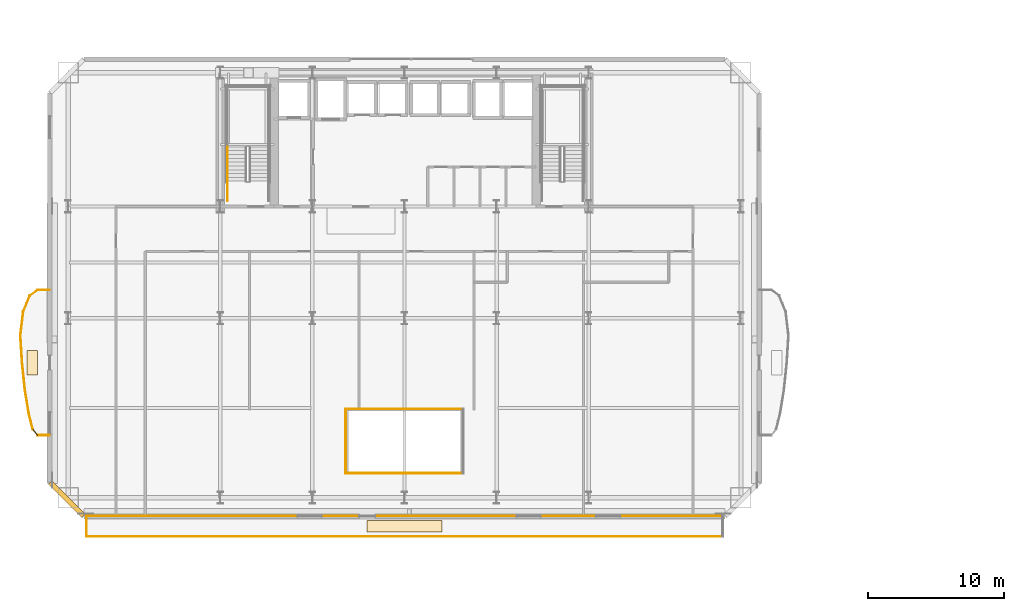
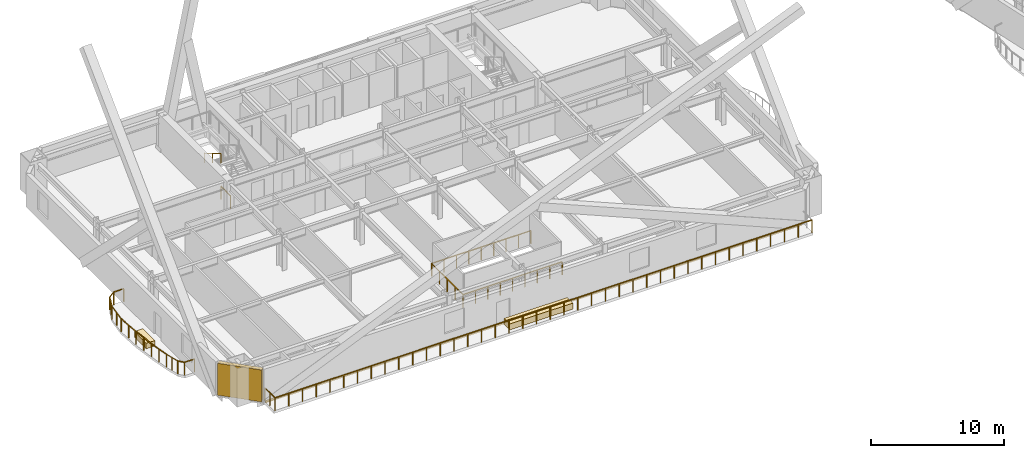
# One storey, part 17 of 25: 17 railings, 3 coverings, 1 shading device.
"""IFC4 building model written with IfcOpenShell, lengths in metres."""

from ifc_helpers import new_model, si_unit, direction, frame, origin, origin_2d, place, context, subcontext, project, spatial, rectangle, extrude, material, layer, layer_set, type_object, element, save


model = new_model("IFC4")

# Units and contexts
model_context = context("Model", 3, precision=1e-05, world=origin(), true_north=direction((0.0, 1.0)))
body_context = subcontext(model_context, "Body", "Model", "MODEL_VIEW")
ifc_project = project(units=[si_unit("LENGTHUNIT", "METRE"), si_unit("AREAUNIT", "SQUARE_METRE"), si_unit("VOLUMEUNIT", "CUBIC_METRE"), si_unit("PLANEANGLEUNIT", "RADIAN"), si_unit("MASSUNIT", "GRAM", prefix="KILO")], contexts=[model_context])

# Site, building, storey
site_placement = place(None, origin())
site = spatial("IfcSite", under=ifc_project, at=site_placement, CompositionType="ELEMENT")
building_placement = place(site_placement, origin())
building = spatial("IfcBuilding", under=site, at=building_placement, Name="Haevon Station Towers", CompositionType="ELEMENT")
storey_placement = place(building_placement, frame((0.0, 0.0, 50.39990234375)))
storey = spatial("IfcBuildingStorey", under=building, at=storey_placement, Name="L12", CompositionType="ELEMENT", Elevation=50.39990234375)

# Railings
ifc_material_1 = material(Name="Steel S355", Category="steel")
railing_type_1 = type_object("IfcRailingType", Name="BAL-ATR1200", PredefinedType="BALUSTRADE", material=ifc_material_1)
railing_1_placement = place(storey_placement, frame((33.19482421875, 18.642333984375, 0.0)))
element("IfcRailing", 1, at=railing_1_placement, inside=storey, type_object=railing_type_1, Name="L12 Atrium Void Balustrade 1", PredefinedType="BALUSTRADE", context=body_context, shape_type="SweptSolid", body=[
    extrude(rectangle(XDim=0.048095703125, YDim=0.048095703125, at=origin_2d()), frame((0.0, 0.0, 1.17578125), z_axis=(1.0, 0.0, 0.0), x_axis=(0.0, 1.0, 0.0)), (0.0, 0.0, 1.0), 8.6103515625),
    extrude(rectangle(XDim=0.0419921875, YDim=0.0419921875, at=origin_2d()), origin(), (0.0, 0.0, 1.0), 1.15185546875),
    extrude(rectangle(XDim=0.0419921875, YDim=0.0419921875, at=origin_2d()), frame((1.076171875, 0.0, 0.0)), (0.0, 0.0, 1.0), 1.15185546875),
    extrude(rectangle(XDim=0.0419921875, YDim=0.0419921875, at=origin_2d()), frame((2.152587890625, 0.0, 0.0)), (0.0, 0.0, 1.0), 1.15185546875),
    extrude(rectangle(XDim=0.0419921875, YDim=0.0419921875, at=origin_2d()), frame((3.22900390625, 0.0, 0.0)), (0.0, 0.0, 1.0), 1.15185546875),
    extrude(rectangle(XDim=0.0419921875, YDim=0.0419921875, at=origin_2d()), frame((4.30517578125, 0.0, 0.0)), (0.0, 0.0, 1.0), 1.15185546875),
    extrude(rectangle(XDim=0.0419921875, YDim=0.0419921875, at=origin_2d()), frame((5.38134765625, 0.0, 0.0)), (0.0, 0.0, 1.0), 1.15185546875),
    extrude(rectangle(XDim=0.0419921875, YDim=0.0419921875, at=origin_2d()), frame((6.457763671875, 0.0, 0.0)), (0.0, 0.0, 1.0), 1.15185546875),
    extrude(rectangle(XDim=0.0419921875, YDim=0.0419921875, at=origin_2d()), frame((7.5341796875, 0.0, 0.0)), (0.0, 0.0, 1.0), 1.15185546875),
    extrude(rectangle(XDim=0.0419921875, YDim=0.0419921875, at=origin_2d()), frame((8.6103515625, 0.0, 0.0)), (0.0, 0.0, 1.0), 1.15185546875),
])
railing_2_placement = place(storey_placement, frame((41.80517578125, 23.357666015625, 0.0)))
element("IfcRailing", 2, at=railing_2_placement, inside=storey, type_object=railing_type_1, Name="L12 Atrium Void Balustrade 3", PredefinedType="BALUSTRADE", context=body_context, shape_type="SweptSolid", body=[
    extrude(rectangle(XDim=0.048095703125, YDim=0.048095703125, at=origin_2d()), frame((0.0, 0.0, 1.17578125), z_axis=(-1.0, 0.0, 0.0), x_axis=(0.0, -1.0, 0.0)), (0.0, 0.0, 1.0), 8.6103515625),
    extrude(rectangle(XDim=0.0419921875, YDim=0.0419921875, at=origin_2d()), origin(), (0.0, 0.0, 1.0), 1.15185546875),
    extrude(rectangle(XDim=0.0419921875, YDim=0.0419921875, at=origin_2d()), frame((-1.076171875, 0.0, 0.0)), (0.0, 0.0, 1.0), 1.15185546875),
    extrude(rectangle(XDim=0.0419921875, YDim=0.0419921875, at=origin_2d()), frame((-2.152587890625, 0.0, 0.0)), (0.0, 0.0, 1.0), 1.15185546875),
    extrude(rectangle(XDim=0.0419921875, YDim=0.0419921875, at=origin_2d()), frame((-3.22900390625, 0.0, 0.0)), (0.0, 0.0, 1.0), 1.15185546875),
    extrude(rectangle(XDim=0.0419921875, YDim=0.0419921875, at=origin_2d()), frame((-4.30517578125, 0.0, 0.0)), (0.0, 0.0, 1.0), 1.15185546875),
    extrude(rectangle(XDim=0.0419921875, YDim=0.0419921875, at=origin_2d()), frame((-5.38134765625, 0.0, 0.0)), (0.0, 0.0, 1.0), 1.15185546875),
    extrude(rectangle(XDim=0.0419921875, YDim=0.0419921875, at=origin_2d()), frame((-6.457763671875, 0.0, 0.0)), (0.0, 0.0, 1.0), 1.15185546875),
    extrude(rectangle(XDim=0.0419921875, YDim=0.0419921875, at=origin_2d()), frame((-7.5341796875, 0.0, 0.0)), (0.0, 0.0, 1.0), 1.15185546875),
    extrude(rectangle(XDim=0.0419921875, YDim=0.0419921875, at=origin_2d()), frame((-8.6103515625, 0.0, 0.0)), (0.0, 0.0, 1.0), 1.15185546875),
])
railing_3_placement = place(storey_placement, frame((33.19482421875, 23.357666015625, 0.0)))
element("IfcRailing", 3, at=railing_3_placement, inside=storey, type_object=railing_type_1, Name="L12 Atrium Void Balustrade 4", PredefinedType="BALUSTRADE", context=body_context, shape_type="SweptSolid", body=[
    extrude(rectangle(XDim=0.048095703125, YDim=0.048095703125, at=origin_2d()), frame((0.0, 0.0, 1.17578125), z_axis=(0.0, -1.0, 0.0), x_axis=(1.0, 0.0, 0.0)), (0.0, 0.0, 1.0), 4.71533203125),
    extrude(rectangle(XDim=0.0419921875, YDim=0.0419921875, at=origin_2d()), origin(), (0.0, 0.0, 1.0), 1.15185546875),
    extrude(rectangle(XDim=0.0419921875, YDim=0.0419921875, at=origin_2d()), frame((0.0, -1.1787109375, 0.0)), (0.0, 0.0, 1.0), 1.15185546875),
    extrude(rectangle(XDim=0.0419921875, YDim=0.0419921875, at=origin_2d()), frame((0.0, -2.357666015625, 0.0)), (0.0, 0.0, 1.0), 1.15185546875),
    extrude(rectangle(XDim=0.0419921875, YDim=0.0419921875, at=origin_2d()), frame((0.0, -3.53662109375, 0.0)), (0.0, 0.0, 1.0), 1.15185546875),
    extrude(rectangle(XDim=0.0419921875, YDim=0.0419921875, at=origin_2d()), frame((0.0, -4.71533203125, 0.0)), (0.0, 0.0, 1.0), 1.15185546875),
])

# Covering
ifc_material_2 = material(Name="Anodised aluminium 6063-T6", Category="aluminium")
ifc_layer_1 = layer(ifc_material_2, 0.0400390625)
ifc_layer_set_1 = layer_set([ifc_layer_1], Name="Anodised aluminium 6063-T6")
covering_type_1 = type_object("IfcCoveringType", Name="COV-CLAD40", PredefinedType="CLADDING", material=ifc_layer_set_1)
covering_1_placement = place(storey_placement, frame((37.5, 15.5, -0.23974609375), z_axis=(0.0, 0.0, 1.0), x_axis=(1.0, 0.0, 0.0)))
element("IfcCovering", 4, at=covering_1_placement, inside=storey, type_object=covering_type_1, Name="Tower 1 L12 Spandrel Fascia Cladding", PredefinedType="CLADDING", context=body_context, shape_type="SweptSolid", body=[
    extrude(rectangle(XDim=46.60009765625, YDim=0.0400390625, at=origin_2d()), origin(), (0.0, 0.0, 1.0), 0.239990234375),
])

# Railings
railing_type_2 = type_object("IfcRailingType", Name="GRD-EXT1200", PredefinedType="GUARDRAIL", material=ifc_material_1)
railing_4_placement = place(storey_placement, frame((14.179931640625, 14.00244140625, 0.0)))
element("IfcRailing", 5, at=railing_4_placement, inside=storey, type_object=railing_type_2, Name="L12 Perimeter Guardrail 1", PredefinedType="GUARDRAIL", context=body_context, shape_type="SweptSolid", body=[
    extrude(rectangle(XDim=0.048095703125, YDim=0.048095703125, at=origin_2d()), frame((0.0, 0.0, 1.17578125), z_axis=(1.0, 0.0, 0.0), x_axis=(0.0, 1.0, 0.0)), (0.0, 0.0, 1.0), 46.64013671875),
    extrude(rectangle(XDim=0.0419921875, YDim=0.0419921875, at=origin_2d()), origin(), (0.0, 0.0, 1.0), 1.15185546875),
    extrude(rectangle(XDim=0.0419921875, YDim=0.0419921875, at=origin_2d()), frame((1.19580078125, 0.0, 0.0)), (0.0, 0.0, 1.0), 1.15185546875),
    extrude(rectangle(XDim=0.0419921875, YDim=0.0419921875, at=origin_2d()), frame((2.391845703125, 0.0, 0.0)), (0.0, 0.0, 1.0), 1.15185546875),
    extrude(rectangle(XDim=0.0419921875, YDim=0.0419921875, at=origin_2d()), frame((3.587646484375, 0.0, 0.0)), (0.0, 0.0, 1.0), 1.15185546875),
    extrude(rectangle(XDim=0.0419921875, YDim=0.0419921875, at=origin_2d()), frame((4.78369140625, 0.0, 0.0)), (0.0, 0.0, 1.0), 1.15185546875),
    extrude(rectangle(XDim=0.0419921875, YDim=0.0419921875, at=origin_2d()), frame((5.9794921875, 0.0, 0.0)), (0.0, 0.0, 1.0), 1.15185546875),
    extrude(rectangle(XDim=0.0419921875, YDim=0.0419921875, at=origin_2d()), frame((7.17529296875, 0.0, 0.0)), (0.0, 0.0, 1.0), 1.15185546875),
    extrude(rectangle(XDim=0.0419921875, YDim=0.0419921875, at=origin_2d()), frame((8.371337890625, 0.0, 0.0)), (0.0, 0.0, 1.0), 1.15185546875),
    extrude(rectangle(XDim=0.0419921875, YDim=0.0419921875, at=origin_2d()), frame((9.567138671875, 0.0, 0.0)), (0.0, 0.0, 1.0), 1.15185546875),
    extrude(rectangle(XDim=0.0419921875, YDim=0.0419921875, at=origin_2d()), frame((10.76318359375, 0.0, 0.0)), (0.0, 0.0, 1.0), 1.15185546875),
    extrude(rectangle(XDim=0.0419921875, YDim=0.0419921875, at=origin_2d()), frame((11.958984375, 0.0, 0.0)), (0.0, 0.0, 1.0), 1.15185546875),
    extrude(rectangle(XDim=0.0419921875, YDim=0.0419921875, at=origin_2d()), frame((13.155029296875, 0.0, 0.0)), (0.0, 0.0, 1.0), 1.15185546875),
    extrude(rectangle(XDim=0.0419921875, YDim=0.0419921875, at=origin_2d()), frame((14.350830078125, 0.0, 0.0)), (0.0, 0.0, 1.0), 1.15185546875),
    extrude(rectangle(XDim=0.0419921875, YDim=0.0419921875, at=origin_2d()), frame((15.546630859375, 0.0, 0.0)), (0.0, 0.0, 1.0), 1.15185546875),
    extrude(rectangle(XDim=0.0419921875, YDim=0.0419921875, at=origin_2d()), frame((16.74267578125, 0.0, 0.0)), (0.0, 0.0, 1.0), 1.15185546875),
    extrude(rectangle(XDim=0.0419921875, YDim=0.0419921875, at=origin_2d()), frame((17.9384765625, 0.0, 0.0)), (0.0, 0.0, 1.0), 1.15185546875),
    extrude(rectangle(XDim=0.0419921875, YDim=0.0419921875, at=origin_2d()), frame((19.134521484375, 0.0, 0.0)), (0.0, 0.0, 1.0), 1.15185546875),
    extrude(rectangle(XDim=0.0419921875, YDim=0.0419921875, at=origin_2d()), frame((20.330322265625, 0.0, 0.0)), (0.0, 0.0, 1.0), 1.15185546875),
    extrude(rectangle(XDim=0.0419921875, YDim=0.0419921875, at=origin_2d()), frame((21.526123046875, 0.0, 0.0)), (0.0, 0.0, 1.0), 1.15185546875),
    extrude(rectangle(XDim=0.0419921875, YDim=0.0419921875, at=origin_2d()), frame((22.72216796875, 0.0, 0.0)), (0.0, 0.0, 1.0), 1.15185546875),
    extrude(rectangle(XDim=0.0419921875, YDim=0.0419921875, at=origin_2d()), frame((23.91796875, 0.0, 0.0)), (0.0, 0.0, 1.0), 1.15185546875),
    extrude(rectangle(XDim=0.0419921875, YDim=0.0419921875, at=origin_2d()), frame((25.114013671875, 0.0, 0.0)), (0.0, 0.0, 1.0), 1.15185546875),
    extrude(rectangle(XDim=0.0419921875, YDim=0.0419921875, at=origin_2d()), frame((26.309814453125, 0.0, 0.0)), (0.0, 0.0, 1.0), 1.15185546875),
    extrude(rectangle(XDim=0.0419921875, YDim=0.0419921875, at=origin_2d()), frame((27.505615234375, 0.0, 0.0)), (0.0, 0.0, 1.0), 1.15185546875),
    extrude(rectangle(XDim=0.0419921875, YDim=0.0419921875, at=origin_2d()), frame((28.70166015625, 0.0, 0.0)), (0.0, 0.0, 1.0), 1.15185546875),
    extrude(rectangle(XDim=0.0419921875, YDim=0.0419921875, at=origin_2d()), frame((29.8974609375, 0.0, 0.0)), (0.0, 0.0, 1.0), 1.15185546875),
    extrude(rectangle(XDim=0.0419921875, YDim=0.0419921875, at=origin_2d()), frame((31.093505859375, 0.0, 0.0)), (0.0, 0.0, 1.0), 1.15185546875),
    extrude(rectangle(XDim=0.0419921875, YDim=0.0419921875, at=origin_2d()), frame((32.289306640625, 0.0, 0.0)), (0.0, 0.0, 1.0), 1.15185546875),
    extrude(rectangle(XDim=0.0419921875, YDim=0.0419921875, at=origin_2d()), frame((33.485107421875, 0.0, 0.0)), (0.0, 0.0, 1.0), 1.15185546875),
    extrude(rectangle(XDim=0.0419921875, YDim=0.0419921875, at=origin_2d()), frame((34.68115234375, 0.0, 0.0)), (0.0, 0.0, 1.0), 1.15185546875),
    extrude(rectangle(XDim=0.0419921875, YDim=0.0419921875, at=origin_2d()), frame((35.876953125, 0.0, 0.0)), (0.0, 0.0, 1.0), 1.15185546875),
    extrude(rectangle(XDim=0.0419921875, YDim=0.0419921875, at=origin_2d()), frame((37.072998046875, 0.0, 0.0)), (0.0, 0.0, 1.0), 1.15185546875),
    extrude(rectangle(XDim=0.0419921875, YDim=0.0419921875, at=origin_2d()), frame((38.268798828125, 0.0, 0.0)), (0.0, 0.0, 1.0), 1.15185546875),
    extrude(rectangle(XDim=0.0419921875, YDim=0.0419921875, at=origin_2d()), frame((39.46484375, 0.0, 0.0)), (0.0, 0.0, 1.0), 1.15185546875),
    extrude(rectangle(XDim=0.0419921875, YDim=0.0419921875, at=origin_2d()), frame((40.66064453125, 0.0, 0.0)), (0.0, 0.0, 1.0), 1.15185546875),
    extrude(rectangle(XDim=0.0419921875, YDim=0.0419921875, at=origin_2d()), frame((41.8564453125, 0.0, 0.0)), (0.0, 0.0, 1.0), 1.15185546875),
    extrude(rectangle(XDim=0.0419921875, YDim=0.0419921875, at=origin_2d()), frame((43.052490234375, 0.0, 0.0)), (0.0, 0.0, 1.0), 1.15185546875),
    extrude(rectangle(XDim=0.0419921875, YDim=0.0419921875, at=origin_2d()), frame((44.248291015625, 0.0, 0.0)), (0.0, 0.0, 1.0), 1.15185546875),
    extrude(rectangle(XDim=0.0419921875, YDim=0.0419921875, at=origin_2d()), frame((45.4443359375, 0.0, 0.0)), (0.0, 0.0, 1.0), 1.15185546875),
    extrude(rectangle(XDim=0.0419921875, YDim=0.0419921875, at=origin_2d()), frame((46.64013671875, 0.0, 0.0)), (0.0, 0.0, 1.0), 1.15185546875),
])
railing_5_placement = place(storey_placement, frame((14.179931640625, 15.492431640625, 0.0)))
element("IfcRailing", 6, at=railing_5_placement, inside=storey, type_object=railing_type_2, Name="L12 Perimeter Guardrail 3", PredefinedType="GUARDRAIL", context=body_context, shape_type="SweptSolid", body=[
    extrude(rectangle(XDim=0.048095703125, YDim=0.048095703125, at=origin_2d()), frame((0.0, 0.0, 1.17578125), z_axis=(0.0, -1.0, 0.0), x_axis=(1.0, 0.0, 0.0)), (0.0, 0.0, 1.0), 1.489990234375),
    extrude(rectangle(XDim=0.0419921875, YDim=0.0419921875, at=origin_2d()), origin(), (0.0, 0.0, 1.0), 1.15185546875),
    extrude(rectangle(XDim=0.0419921875, YDim=0.0419921875, at=origin_2d()), frame((0.0, -0.7451171875, 0.0)), (0.0, 0.0, 1.0), 1.15185546875),
    extrude(rectangle(XDim=0.0419921875, YDim=0.0419921875, at=origin_2d()), frame((0.0, -1.489990234375, 0.0)), (0.0, 0.0, 1.0), 1.15185546875),
])
railing_6_placement = place(storey_placement, frame((11.4765625, 32.072265625, 0.0)))
element("IfcRailing", 7, at=railing_6_placement, inside=storey, type_object=railing_type_2, Name="L12 Perimeter Guardrail 1", PredefinedType="GUARDRAIL", context=body_context, shape_type="SweptSolid", body=[
    extrude(rectangle(XDim=0.048095703125, YDim=0.048095703125, at=origin_2d()), frame((0.0, 0.0, 1.17578125), z_axis=(-0.999997476494, -0.002246554286, 0.0), x_axis=(0.002246554286, -0.999997476494, 0.0)), (0.0, 0.0, 1.0), 0.869384765625),
    extrude(rectangle(XDim=0.0419921875, YDim=0.0419921875, at=origin_2d()), origin(), (0.0, 0.0, 1.0), 1.15185546875),
    extrude(rectangle(XDim=0.0419921875, YDim=0.0419921875, at=origin_2d()), frame((-0.869384765625, -0.001953125, 0.0)), (0.0, 0.0, 1.0), 1.15185546875),
])
railing_7_placement = place(storey_placement, frame((10.607177734375, 32.0703125, 0.0)))
element("IfcRailing", 8, at=railing_7_placement, inside=storey, type_object=railing_type_2, Name="L12 Perimeter Guardrail 2", PredefinedType="GUARDRAIL", context=body_context, shape_type="SweptSolid", body=[
    extrude(rectangle(XDim=0.048095703125, YDim=0.048095703125, at=origin_2d()), frame((0.0, 0.0, 1.17578125), z_axis=(-0.812092296848, -0.583529006477, 0.0), x_axis=(0.583529006477, -0.812092296848, 0.0)), (0.0, 0.0, 1.0), 0.705078125),
    extrude(rectangle(XDim=0.0419921875, YDim=0.0419921875, at=origin_2d()), origin(), (0.0, 0.0, 1.0), 1.15185546875),
    extrude(rectangle(XDim=0.0419921875, YDim=0.0419921875, at=origin_2d()), frame((-0.572509765625, -0.411376953125, 0.0)), (0.0, 0.0, 1.0), 1.15185546875),
])
railing_8_placement = place(storey_placement, frame((10.03466796875, 31.658935546875, 0.0)))
element("IfcRailing", 9, at=railing_8_placement, inside=storey, type_object=railing_type_2, Name="L12 Perimeter Guardrail 3", PredefinedType="GUARDRAIL", context=body_context, shape_type="SweptSolid", body=[
    extrude(rectangle(XDim=0.048095703125, YDim=0.048095703125, at=origin_2d()), frame((0.0, 0.0, 1.17578125), z_axis=(-0.379535160999, -0.925177313581, 0.0), x_axis=(0.925177313581, -0.379535160999, 0.0)), (0.0, 0.0, 1.0), 1.263916015625),
    extrude(rectangle(XDim=0.0419921875, YDim=0.0419921875, at=origin_2d()), origin(), (0.0, 0.0, 1.0), 1.15185546875),
    extrude(rectangle(XDim=0.0419921875, YDim=0.0419921875, at=origin_2d()), frame((-0.23974609375, -0.584716796875, 0.0)), (0.0, 0.0, 1.0), 1.15185546875),
    extrude(rectangle(XDim=0.0419921875, YDim=0.0419921875, at=origin_2d()), frame((-0.479736328125, -1.16943359375, 0.0)), (0.0, 0.0, 1.0), 1.15185546875),
])
railing_9_placement = place(storey_placement, frame((9.554931640625, 30.489501953125, 0.0)))
element("IfcRailing", 10, at=railing_9_placement, inside=storey, type_object=railing_type_2, Name="L12 Perimeter Guardrail 4", PredefinedType="GUARDRAIL", context=body_context, shape_type="SweptSolid", body=[
    extrude(rectangle(XDim=0.048095703125, YDim=0.048095703125, at=origin_2d()), frame((0.0, 0.0, 1.17578125), z_axis=(-0.117590336191, -0.993062189812, 0.0), x_axis=(0.993062189812, -0.117590336191, 0.0)), (0.0, 0.0, 1.0), 1.758544921875),
    extrude(rectangle(XDim=0.0419921875, YDim=0.0419921875, at=origin_2d()), origin(), (0.0, 0.0, 1.0), 1.15185546875),
    extrude(rectangle(XDim=0.0419921875, YDim=0.0419921875, at=origin_2d()), frame((-0.103515625, -0.873046875, 0.0)), (0.0, 0.0, 1.0), 1.15185546875),
    extrude(rectangle(XDim=0.0419921875, YDim=0.0419921875, at=origin_2d()), frame((-0.206787109375, -1.746337890625, 0.0)), (0.0, 0.0, 1.0), 1.15185546875),
])
railing_10_placement = place(storey_placement, frame((9.34814453125, 28.7431640625, 0.0)))
element("IfcRailing", 11, at=railing_10_placement, inside=storey, type_object=railing_type_2, Name="L12 Perimeter Guardrail 5", PredefinedType="GUARDRAIL", context=body_context, shape_type="SweptSolid", body=[
    extrude(rectangle(XDim=0.048095703125, YDim=0.048095703125, at=origin_2d()), frame((0.0, 0.0, 1.17578125), z_axis=(0.06356545678, -0.997977671446, 0.0), x_axis=(0.997977671446, 0.06356545678, 0.0)), (0.0, 0.0, 1.0), 1.997314453125),
    extrude(rectangle(XDim=0.0419921875, YDim=0.0419921875, at=origin_2d()), origin(), (0.0, 0.0, 1.0), 1.15185546875),
    extrude(rectangle(XDim=0.0419921875, YDim=0.0419921875, at=origin_2d()), frame((0.0634765625, -0.99658203125, 0.0)), (0.0, 0.0, 1.0), 1.15185546875),
    extrude(rectangle(XDim=0.0419921875, YDim=0.0419921875, at=origin_2d()), frame((0.126953125, -1.9931640625, 0.0)), (0.0, 0.0, 1.0), 1.15185546875),
])
railing_11_placement = place(storey_placement, frame((9.47509765625, 26.75, 0.0)))
element("IfcRailing", 12, at=railing_11_placement, inside=storey, type_object=railing_type_2, Name="L12 Perimeter Guardrail 6", PredefinedType="GUARDRAIL", context=body_context, shape_type="SweptSolid", body=[
    extrude(rectangle(XDim=0.048095703125, YDim=0.048095703125, at=origin_2d()), frame((0.0, 0.0, 1.17578125), z_axis=(0.102549270738, -0.994727926154, 0.0), x_axis=(0.994727926154, 0.102549270738, 0.0)), (0.0, 0.0, 1.0), 1.999755859375),
    extrude(rectangle(XDim=0.0419921875, YDim=0.0419921875, at=origin_2d()), origin(), (0.0, 0.0, 1.0), 1.15185546875),
    extrude(rectangle(XDim=0.0419921875, YDim=0.0419921875, at=origin_2d()), frame((0.1025390625, -0.99462890625, 0.0)), (0.0, 0.0, 1.0), 1.15185546875),
    extrude(rectangle(XDim=0.0419921875, YDim=0.0419921875, at=origin_2d()), frame((0.205078125, -1.9892578125, 0.0)), (0.0, 0.0, 1.0), 1.15185546875),
])
railing_12_placement = place(storey_placement, frame((9.68017578125, 24.7607421875, 0.0)))
element("IfcRailing", 13, at=railing_12_placement, inside=storey, type_object=railing_type_2, Name="L12 Perimeter Guardrail 7", PredefinedType="GUARDRAIL", context=body_context, shape_type="SweptSolid", body=[
    extrude(rectangle(XDim=0.048095703125, YDim=0.048095703125, at=origin_2d()), frame((0.0, 0.0, 1.17578125), z_axis=(0.162232317079, -0.986752590721, 0.0), x_axis=(0.986752590721, 0.162232317079, 0.0)), (0.0, 0.0, 1.0), 1.772705078125),
    extrude(rectangle(XDim=0.0419921875, YDim=0.0419921875, at=origin_2d()), origin(), (0.0, 0.0, 1.0), 1.15185546875),
    extrude(rectangle(XDim=0.0419921875, YDim=0.0419921875, at=origin_2d()), frame((0.143798828125, -0.87451171875, 0.0)), (0.0, 0.0, 1.0), 1.15185546875),
    extrude(rectangle(XDim=0.0419921875, YDim=0.0419921875, at=origin_2d()), frame((0.28759765625, -1.749267578125, 0.0)), (0.0, 0.0, 1.0), 1.15185546875),
])
railing_13_placement = place(storey_placement, frame((9.9677734375, 23.011474609375, 0.0)))
element("IfcRailing", 14, at=railing_13_placement, inside=storey, type_object=railing_type_2, Name="L12 Perimeter Guardrail 8", PredefinedType="GUARDRAIL", context=body_context, shape_type="SweptSolid", body=[
    extrude(rectangle(XDim=0.048095703125, YDim=0.048095703125, at=origin_2d()), frame((0.0, 0.0, 1.17578125), z_axis=(0.243202070488, -0.969975645524, 0.0), x_axis=(0.969975645524, 0.243202070488, 0.0)), (0.0, 0.0, 1.0), 1.20654296875),
    extrude(rectangle(XDim=0.0419921875, YDim=0.0419921875, at=origin_2d()), origin(), (0.0, 0.0, 1.0), 1.15185546875),
    extrude(rectangle(XDim=0.0419921875, YDim=0.0419921875, at=origin_2d()), frame((0.146728515625, -0.585205078125, 0.0)), (0.0, 0.0, 1.0), 1.15185546875),
    extrude(rectangle(XDim=0.0419921875, YDim=0.0419921875, at=origin_2d()), frame((0.29345703125, -1.17041015625, 0.0)), (0.0, 0.0, 1.0), 1.15185546875),
])
railing_14_placement = place(storey_placement, frame((10.26123046875, 21.841064453125, 0.0)))
element("IfcRailing", 15, at=railing_14_placement, inside=storey, type_object=railing_type_2, Name="L12 Perimeter Guardrail 9", PredefinedType="GUARDRAIL", context=body_context, shape_type="SweptSolid", body=[
    extrude(rectangle(XDim=0.048095703125, YDim=0.048095703125, at=origin_2d()), frame((0.0, 0.0, 1.17578125), z_axis=(0.643618076679, -0.765346830772, 0.0), x_axis=(0.765346830772, 0.643618076679, 0.0)), (0.0, 0.0, 1.0), 0.53759765625),
    extrude(rectangle(XDim=0.0419921875, YDim=0.0419921875, at=origin_2d()), origin(), (0.0, 0.0, 1.0), 1.15185546875),
    extrude(rectangle(XDim=0.0419921875, YDim=0.0419921875, at=origin_2d()), frame((0.345947265625, -0.411376953125, 0.0)), (0.0, 0.0, 1.0), 1.15185546875),
])
railing_15_placement = place(storey_placement, frame((10.607177734375, 21.4296875, 0.0)))
element("IfcRailing", 16, at=railing_15_placement, inside=storey, type_object=railing_type_2, Name="L12 Perimeter Guardrail 10", PredefinedType="GUARDRAIL", context=body_context, shape_type="SweptSolid", body=[
    extrude(rectangle(XDim=0.048095703125, YDim=0.048095703125, at=origin_2d()), frame((0.0, 0.0, 1.17578125), z_axis=(0.999997476494, -0.002246554286, 0.0), x_axis=(0.002246554286, 0.999997476494, 0.0)), (0.0, 0.0, 1.0), 0.869384765625),
    extrude(rectangle(XDim=0.0419921875, YDim=0.0419921875, at=origin_2d()), origin(), (0.0, 0.0, 1.0), 1.15185546875),
    extrude(rectangle(XDim=0.0419921875, YDim=0.0419921875, at=origin_2d()), frame((0.869384765625, -0.001953125, 0.0)), (0.0, 0.0, 1.0), 1.15185546875),
])
railing_type_3 = type_object("IfcRailingType", Name="GRD-STR1200", PredefinedType="GUARDRAIL", material=ifc_material_1)
railing_16_placement = place(storey_placement, frame((24.530029296875, 38.60009765625, 0.0)))
element("IfcRailing", 17, at=railing_16_placement, inside=storey, type_object=railing_type_3, Name="L12 ST1 Stair Guard 9", PredefinedType="GUARDRAIL", context=body_context, shape_type="SweptSolid", body=[
    extrude(rectangle(XDim=0.048095703125, YDim=0.048095703125, at=origin_2d()), frame((0.0, 0.0, 1.17578125), z_axis=(0.0, 1.0, 0.0), x_axis=(-1.0, 0.0, 0.0)), (0.0, 0.0, 1.0), 1.449951171875),
    extrude(rectangle(XDim=0.0419921875, YDim=0.0419921875, at=origin_2d()), origin(), (0.0, 0.0, 1.0), 1.15185546875),
    extrude(rectangle(XDim=0.0419921875, YDim=0.0419921875, at=origin_2d()), frame((0.0, 1.449951171875, 0.0)), (0.0, 0.0, 1.0), 1.15185546875),
])
railing_type_4 = type_object("IfcRailingType", Name="HND-STR900", PredefinedType="HANDRAIL", material=ifc_material_1)
railing_17_placement = place(storey_placement, frame((24.530029296875, 42.570068359375, 1.815185546875)))
element("IfcRailing", 18, at=railing_17_placement, inside=storey, type_object=railing_type_4, Name="L12 ST1 Stair Handrail 2", PredefinedType="HANDRAIL", context=body_context, shape_type="SweptSolid", body=[
    extrude(rectangle(XDim=0.048095703125, YDim=0.048095703125, at=origin_2d()), frame((0.0, 0.0, 0.8759765625), z_axis=(0.0, -0.861560626758, 0.507654692109), x_axis=(1.0, 0.0, 0.0)), (0.0, 0.0, 1.0), 2.925048828125),
    extrude(rectangle(XDim=0.0419921875, YDim=0.0419921875, at=origin_2d()), origin(), (0.0, 0.0, 1.0), 0.851806640625),
    extrude(rectangle(XDim=0.0419921875, YDim=0.0419921875, at=origin_2d()), frame((0.0, -1.260009765625, 0.742431640625)), (0.0, 0.0, 1.0), 0.851806640625),
    extrude(rectangle(XDim=0.0419921875, YDim=0.0419921875, at=origin_2d()), frame((0.0, -2.52001953125, 1.48486328125)), (0.0, 0.0, 1.0), 0.851806640625),
])

# Coverings
ifc_material_3 = material(Name="Architectural planter GRC", Category="concrete")
ifc_layer_2 = layer(ifc_material_3, 0.550048828125)
ifc_layer_set_2 = layer_set([ifc_layer_2], Name="Architectural planter GRC")
covering_type_2 = type_object("IfcCoveringType", Name="PLN-GRC550", PredefinedType="MOLDING", material=ifc_layer_set_2)
covering_2_placement = place(storey_placement, frame((37.5, 14.74755859375, 0.0), z_axis=(0.0, 0.0, 1.0), x_axis=(1.0, 0.0, 0.0)))
element("IfcCovering", 19, at=covering_2_placement, inside=storey, type_object=covering_type_2, Name="Tower 1 L12 Sky-Garden GRC PLANTER", PredefinedType="MOLDING", context=body_context, shape_type="SweptSolid", body=[
    extrude(rectangle(XDim=5.5, YDim=0.85009765625, at=origin_2d()), origin(), (0.0, 0.0, 1.0), 0.550048828125),
])
covering_3_placement = place(storey_placement, frame((10.216796875, 26.75, 0.0), z_axis=(0.0, 0.0, 1.0), x_axis=(1.0, 0.0, 0.0)))
element("IfcCovering", 20, at=covering_3_placement, inside=storey, type_object=covering_type_2, Name="Tower 1 L12 Scalloped Balcony PLANTER", PredefinedType="MOLDING", context=body_context, shape_type="SweptSolid", body=[
    extrude(rectangle(XDim=0.75, YDim=1.800048828125, at=origin_2d()), origin(), (0.0, 0.0, 1.0), 0.5),
])

# Shading device
ifc_layer_3 = layer(ifc_material_2, 0.139892578125)
ifc_layer_set_3 = layer_set([ifc_layer_3], Name="Anodised aluminium 6063-T6")
shading_device_type = type_object("IfcShadingDeviceType", Name="SHD-WIND-BAFFLE", PredefinedType="SHUTTER", material=ifc_layer_set_3)
shading_device_placement = place(storey_placement, frame((12.75, 16.75, 0.05029296875), z_axis=(0.0, 0.0, 1.0), x_axis=(-0.707106781187, 0.707106781187, 0.0)))
element("IfcShadingDevice", 21, at=shading_device_placement, inside=storey, type_object=shading_device_type, Name="Tower 1 L12 Wind-Corner Aerofoil Baffle SWC", PredefinedType="SHUTTER", context=body_context, shape_type="SweptSolid", body=[
    extrude(rectangle(XDim=3.435546875, YDim=0.340087890625, at=origin_2d()), origin(), (0.0, 0.0, 1.0), 2.929931640625),
])

save(model, "model.ifc")
